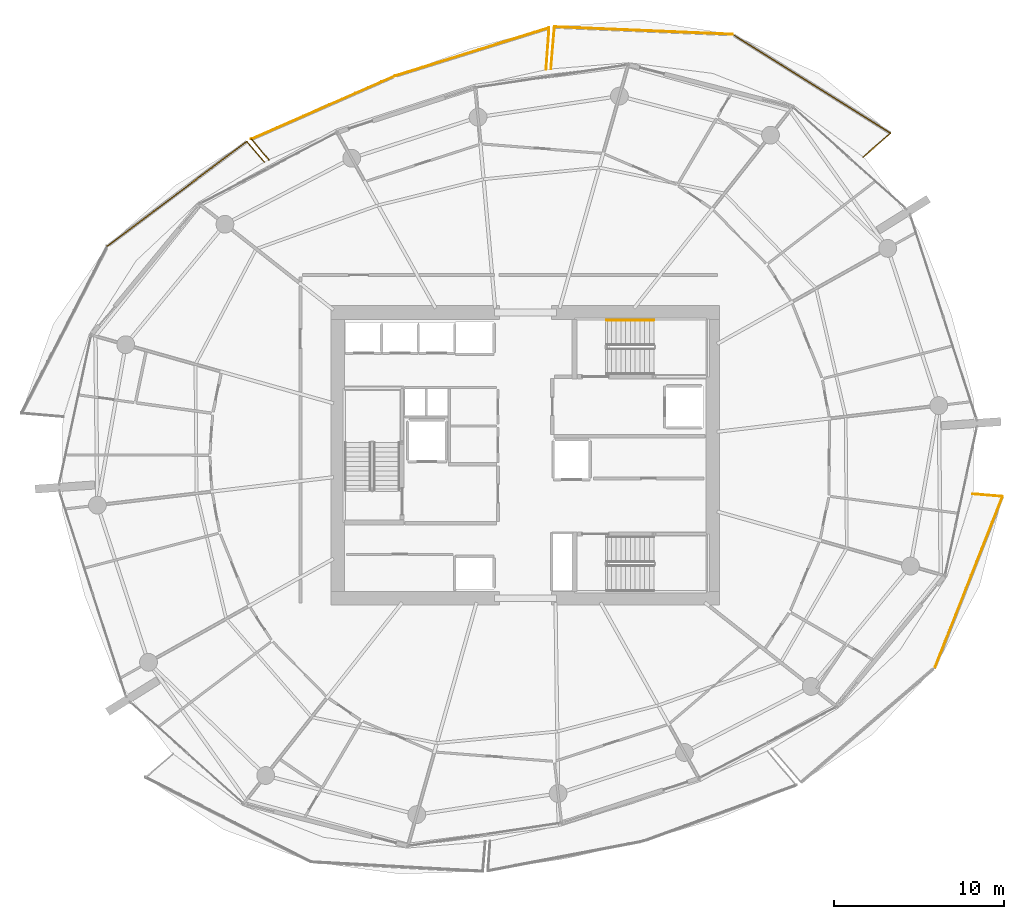
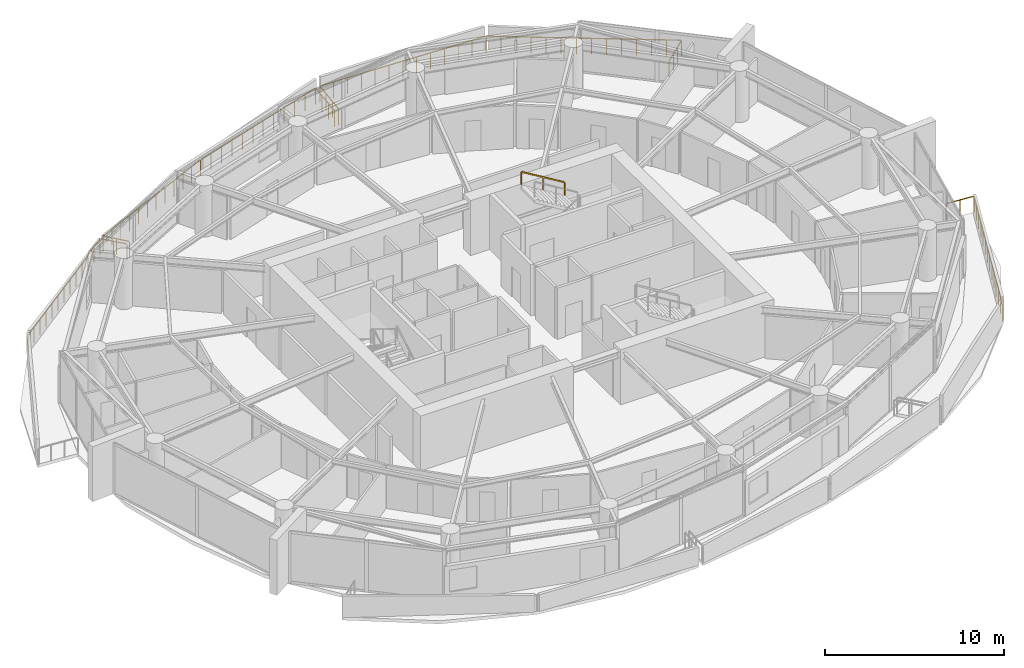
# One storey, part 20 of 20: 13 railings.
"""IFC4 building model written with IfcOpenShell, lengths in metres."""

from ifc_helpers import new_model, si_unit, direction, frame, origin, origin_2d, place, context, subcontext, project, spatial, rectangle, extrude, material, type_object, element, save


model = new_model("IFC4")

# Units and contexts
model_context = context("Model", 3, precision=1e-05, world=origin(), true_north=direction((0.0, 1.0)))
body_context = subcontext(model_context, "Body", "Model", "MODEL_VIEW")
ifc_project = project(units=[si_unit("LENGTHUNIT", "METRE"), si_unit("AREAUNIT", "SQUARE_METRE"), si_unit("VOLUMEUNIT", "CUBIC_METRE"), si_unit("PLANEANGLEUNIT", "RADIAN"), si_unit("MASSUNIT", "GRAM", prefix="KILO")], contexts=[model_context])

# Site, building, storey
site_placement = place(None, origin())
site = spatial("IfcSite", under=ifc_project, at=site_placement, CompositionType="ELEMENT")
building_placement = place(site_placement, origin())
building = spatial("IfcBuilding", under=site, at=building_placement, Name="Kazma Halo Residences", CompositionType="ELEMENT")
storey_placement = place(building_placement, frame((0.0, 0.0, 131.550048828125)))
storey = spatial("IfcBuildingStorey", under=building, at=storey_placement, Name="L32", CompositionType="ELEMENT", Elevation=131.550048828125)

# Railings
ifc_material_1 = material(Name="Aluminium AW-6063 T6 Brushed Cap Rail", Category="aluminium")
railing_type_1 = type_object("IfcRailingType", Name="RLG-BAL-CAP-1120", PredefinedType="BALUSTRADE", material=ifc_material_1)
railing_1_placement = place(storey_placement, frame((68.294677734375, 59.548583984375, 0.0)))
element("IfcRailing", 1, at=railing_1_placement, inside=storey, type_object=railing_type_1, Name="L32 NE wave balcony guard 1", PredefinedType="BALUSTRADE", context=body_context, shape_type="SweptSolid", body=[
    extrude(rectangle(XDim=0.050048828125, YDim=0.050048828125, at=origin_2d()), frame((0.0322265625, 0.02783203125, 1.09521484375), z_axis=(0.756373912854, 0.654139514136, 0.0), x_axis=(-0.654139514136, 0.756373912854, 0.0)), (0.0, 0.0, 1.0), 2.042724609375),
    extrude(rectangle(XDim=0.0400390625, YDim=0.0400390625, at=origin_2d()), origin(), (0.0, 0.0, 1.0), 1.05810546875),
    extrude(rectangle(XDim=0.0400390625, YDim=0.0400390625, at=origin_2d()), frame((0.536376953125, 0.4638671875, 0.0)), (0.0, 0.0, 1.0), 1.05810546875),
    extrude(rectangle(XDim=0.0400390625, YDim=0.0400390625, at=origin_2d()), frame((1.072998046875, 0.927978515625, 0.0)), (0.0, 0.0, 1.0), 1.05810546875),
    extrude(rectangle(XDim=0.0400390625, YDim=0.0400390625, at=origin_2d()), frame((1.609375, 1.391845703125, 0.0)), (0.0, 0.0, 1.0), 1.05810546875),
])
railing_2_placement = place(storey_placement, frame((69.904052734375, 60.9404296875, 0.0)))
element("IfcRailing", 2, at=railing_2_placement, inside=storey, type_object=railing_type_1, Name="L32 NE wave balcony guard 2", PredefinedType="BALUSTRADE", context=body_context, shape_type="SweptSolid", body=[
    extrude(rectangle(XDim=0.050048828125, YDim=0.050048828125, at=origin_2d()), frame((-0.0361328125, 0.0224609375, 1.09521484375), z_axis=(-0.847681544963, 0.530505417812, 0.0), x_axis=(-0.530505417812, -0.847681544963, 0.0)), (0.0, 0.0, 1.0), 10.875244140625),
    extrude(rectangle(XDim=0.0400390625, YDim=0.0400390625, at=origin_2d()), origin(), (0.0, 0.0, 1.0), 1.05810546875),
    extrude(rectangle(XDim=0.0400390625, YDim=0.0400390625, at=origin_2d()), frame((-0.714599609375, 0.447265625, 0.0)), (0.0, 0.0, 1.0), 1.05810546875),
    extrude(rectangle(XDim=0.0400390625, YDim=0.0400390625, at=origin_2d()), frame((-1.429443359375, 0.89453125, 0.0)), (0.0, 0.0, 1.0), 1.05810546875),
    extrude(rectangle(XDim=0.0400390625, YDim=0.0400390625, at=origin_2d()), frame((-2.14404296875, 1.341796875, 0.0)), (0.0, 0.0, 1.0), 1.05810546875),
    extrude(rectangle(XDim=0.0400390625, YDim=0.0400390625, at=origin_2d()), frame((-2.858642578125, 1.7890625, 0.0)), (0.0, 0.0, 1.0), 1.05810546875),
    extrude(rectangle(XDim=0.0400390625, YDim=0.0400390625, at=origin_2d()), frame((-3.573486328125, 2.236328125, 0.0)), (0.0, 0.0, 1.0), 1.05810546875),
    extrude(rectangle(XDim=0.0400390625, YDim=0.0400390625, at=origin_2d()), frame((-4.2880859375, 2.68359375, 0.0)), (0.0, 0.0, 1.0), 1.05810546875),
    extrude(rectangle(XDim=0.0400390625, YDim=0.0400390625, at=origin_2d()), frame((-5.002685546875, 3.130859375, 0.0)), (0.0, 0.0, 1.0), 1.05810546875),
    extrude(rectangle(XDim=0.0400390625, YDim=0.0400390625, at=origin_2d()), frame((-5.71728515625, 3.578125, 0.0)), (0.0, 0.0, 1.0), 1.05810546875),
    extrude(rectangle(XDim=0.0400390625, YDim=0.0400390625, at=origin_2d()), frame((-6.43212890625, 4.025390625, 0.0)), (0.0, 0.0, 1.0), 1.05810546875),
    extrude(rectangle(XDim=0.0400390625, YDim=0.0400390625, at=origin_2d()), frame((-7.146728515625, 4.47265625, 0.0)), (0.0, 0.0, 1.0), 1.05810546875),
    extrude(rectangle(XDim=0.0400390625, YDim=0.0400390625, at=origin_2d()), frame((-7.861328125, 4.919921875, 0.0)), (0.0, 0.0, 1.0), 1.05810546875),
    extrude(rectangle(XDim=0.0400390625, YDim=0.0400390625, at=origin_2d()), frame((-8.576171875, 5.3671875, 0.0)), (0.0, 0.0, 1.0), 1.05810546875),
    extrude(rectangle(XDim=0.0400390625, YDim=0.0400390625, at=origin_2d()), frame((-9.290771484375, 5.814453125, 0.0)), (0.0, 0.0, 1.0), 1.05810546875),
])
railing_3_placement = place(storey_placement, frame((60.61328125, 66.7548828125, 0.0)))
element("IfcRailing", 3, at=railing_3_placement, inside=storey, type_object=railing_type_1, Name="L32 NE wave balcony guard 3", PredefinedType="BALUSTRADE", context=body_context, shape_type="SweptSolid", body=[
    extrude(rectangle(XDim=0.050048828125, YDim=0.050048828125, at=origin_2d()), frame((-0.04248046875, 0.001708984375, 1.09521484375), z_axis=(-0.999119297939, 0.041959843733, 0.0), x_axis=(-0.041959843733, -0.999119297939, 0.0)), (0.0, 0.0, 1.0), 10.399658203125),
    extrude(rectangle(XDim=0.0400390625, YDim=0.0400390625, at=origin_2d()), origin(), (0.0, 0.0, 1.0), 1.05810546875),
    extrude(rectangle(XDim=0.0400390625, YDim=0.0400390625, at=origin_2d()), frame((-0.873046875, 0.03662109375, 0.0)), (0.0, 0.0, 1.0), 1.05810546875),
    extrude(rectangle(XDim=0.0400390625, YDim=0.0400390625, at=origin_2d()), frame((-1.745849609375, 0.0732421875, 0.0)), (0.0, 0.0, 1.0), 1.05810546875),
    extrude(rectangle(XDim=0.0400390625, YDim=0.0400390625, at=origin_2d()), frame((-2.618896484375, 0.10986328125, 0.0)), (0.0, 0.0, 1.0), 1.05810546875),
    extrude(rectangle(XDim=0.0400390625, YDim=0.0400390625, at=origin_2d()), frame((-3.491943359375, 0.146728515625, 0.0)), (0.0, 0.0, 1.0), 1.05810546875),
    extrude(rectangle(XDim=0.0400390625, YDim=0.0400390625, at=origin_2d()), frame((-4.36474609375, 0.183349609375, 0.0)), (0.0, 0.0, 1.0), 1.05810546875),
    extrude(rectangle(XDim=0.0400390625, YDim=0.0400390625, at=origin_2d()), frame((-5.23779296875, 0.219970703125, 0.0)), (0.0, 0.0, 1.0), 1.05810546875),
    extrude(rectangle(XDim=0.0400390625, YDim=0.0400390625, at=origin_2d()), frame((-6.11083984375, 0.256591796875, 0.0)), (0.0, 0.0, 1.0), 1.05810546875),
    extrude(rectangle(XDim=0.0400390625, YDim=0.0400390625, at=origin_2d()), frame((-6.983642578125, 0.293212890625, 0.0)), (0.0, 0.0, 1.0), 1.05810546875),
    extrude(rectangle(XDim=0.0400390625, YDim=0.0400390625, at=origin_2d()), frame((-7.856689453125, 0.330078125, 0.0)), (0.0, 0.0, 1.0), 1.05810546875),
    extrude(rectangle(XDim=0.0400390625, YDim=0.0400390625, at=origin_2d()), frame((-8.729736328125, 0.36669921875, 0.0)), (0.0, 0.0, 1.0), 1.05810546875),
    extrude(rectangle(XDim=0.0400390625, YDim=0.0400390625, at=origin_2d()), frame((-9.6025390625, 0.4033203125, 0.0)), (0.0, 0.0, 1.0), 1.05810546875),
    extrude(rectangle(XDim=0.0400390625, YDim=0.0400390625, at=origin_2d()), frame((-10.4755859375, 0.43994140625, 0.0)), (0.0, 0.0, 1.0), 1.05810546875),
])
railing_4_placement = place(storey_placement, frame((50.1376953125, 67.19482421875, 0.0)))
element("IfcRailing", 4, at=railing_4_placement, inside=storey, type_object=railing_type_1, Name="L32 NE wave balcony guard 4", PredefinedType="BALUSTRADE", context=body_context, shape_type="SweptSolid", body=[
    extrude(rectangle(XDim=0.050048828125, YDim=0.050048828125, at=origin_2d()), frame((-0.003662109375, -0.04248046875, 1.09521484375), z_axis=(-0.084453003574, -0.996427463585, 0.0), x_axis=(0.996427463585, -0.084453003574, 0.0)), (0.0, 0.0, 1.0), 2.398193359375),
    extrude(rectangle(XDim=0.0400390625, YDim=0.0400390625, at=origin_2d()), origin(), (0.0, 0.0, 1.0), 1.05810546875),
    extrude(rectangle(XDim=0.0400390625, YDim=0.0400390625, at=origin_2d()), frame((-0.06982421875, -0.82470703125, 0.0)), (0.0, 0.0, 1.0), 1.05810546875),
    extrude(rectangle(XDim=0.0400390625, YDim=0.0400390625, at=origin_2d()), frame((-0.139892578125, -1.649658203125, 0.0)), (0.0, 0.0, 1.0), 1.05810546875),
    extrude(rectangle(XDim=0.0400390625, YDim=0.0400390625, at=origin_2d()), frame((-0.209716796875, -2.474365234375, 0.0)), (0.0, 0.0, 1.0), 1.05810546875),
])
railing_5_placement = place(storey_placement, frame((49.6455078125, 64.67822265625, 0.0)))
element("IfcRailing", 5, at=railing_5_placement, inside=storey, type_object=railing_type_1, Name="L32 NNW wave balcony guard 1", PredefinedType="BALUSTRADE", context=body_context, shape_type="SweptSolid", body=[
    extrude(rectangle(XDim=0.050048828125, YDim=0.050048828125, at=origin_2d()), frame((0.003173828125, 0.04248046875, 1.09521484375), z_axis=(0.072387043976, 0.997376616863, 0.0), x_axis=(-0.997376616863, 0.072387043976, 0.0)), (0.0, 0.0, 1.0), 2.38037109375),
    extrude(rectangle(XDim=0.0400390625, YDim=0.0400390625, at=origin_2d()), origin(), (0.0, 0.0, 1.0), 1.05810546875),
    extrude(rectangle(XDim=0.0400390625, YDim=0.0400390625, at=origin_2d()), frame((0.0595703125, 0.819580078125, 0.0)), (0.0, 0.0, 1.0), 1.05810546875),
    extrude(rectangle(XDim=0.0400390625, YDim=0.0400390625, at=origin_2d()), frame((0.118896484375, 1.639404296875, 0.0)), (0.0, 0.0, 1.0), 1.05810546875),
    extrude(rectangle(XDim=0.0400390625, YDim=0.0400390625, at=origin_2d()), frame((0.178466796875, 2.458984375, 0.0)), (0.0, 0.0, 1.0), 1.05810546875),
])
railing_6_placement = place(storey_placement, frame((49.823974609375, 67.13720703125, 0.0)))
element("IfcRailing", 6, at=railing_6_placement, inside=storey, type_object=railing_type_1, Name="L32 NNW wave balcony guard 2", PredefinedType="BALUSTRADE", context=body_context, shape_type="SweptSolid", body=[
    extrude(rectangle(XDim=0.050048828125, YDim=0.050048828125, at=origin_2d()), frame((-0.04052734375, -0.0126953125, 1.09521484375), z_axis=(-0.954419160953, -0.298469538154, 0.0), x_axis=(0.298469538154, -0.954419160953, 0.0)), (0.0, 0.0, 1.0), 9.418212890625),
    extrude(rectangle(XDim=0.0400390625, YDim=0.0400390625, at=origin_2d()), origin(), (0.0, 0.0, 1.0), 1.05810546875),
    extrude(rectangle(XDim=0.0400390625, YDim=0.0400390625, at=origin_2d()), frame((-0.824462890625, -0.2578125, 0.0)), (0.0, 0.0, 1.0), 1.05810546875),
    extrude(rectangle(XDim=0.0400390625, YDim=0.0400390625, at=origin_2d()), frame((-1.649169921875, -0.515625, 0.0)), (0.0, 0.0, 1.0), 1.05810546875),
    extrude(rectangle(XDim=0.0400390625, YDim=0.0400390625, at=origin_2d()), frame((-2.4736328125, -0.773681640625, 0.0)), (0.0, 0.0, 1.0), 1.05810546875),
    extrude(rectangle(XDim=0.0400390625, YDim=0.0400390625, at=origin_2d()), frame((-3.298095703125, -1.031494140625, 0.0)), (0.0, 0.0, 1.0), 1.05810546875),
    extrude(rectangle(XDim=0.0400390625, YDim=0.0400390625, at=origin_2d()), frame((-4.122802734375, -1.289306640625, 0.0)), (0.0, 0.0, 1.0), 1.05810546875),
    extrude(rectangle(XDim=0.0400390625, YDim=0.0400390625, at=origin_2d()), frame((-4.947265625, -1.547119140625, 0.0)), (0.0, 0.0, 1.0), 1.05810546875),
    extrude(rectangle(XDim=0.0400390625, YDim=0.0400390625, at=origin_2d()), frame((-5.77197265625, -1.804931640625, 0.0)), (0.0, 0.0, 1.0), 1.05810546875),
    extrude(rectangle(XDim=0.0400390625, YDim=0.0400390625, at=origin_2d()), frame((-6.596435546875, -2.062744140625, 0.0)), (0.0, 0.0, 1.0), 1.05810546875),
    extrude(rectangle(XDim=0.0400390625, YDim=0.0400390625, at=origin_2d()), frame((-7.4208984375, -2.32080078125, 0.0)), (0.0, 0.0, 1.0), 1.05810546875),
    extrude(rectangle(XDim=0.0400390625, YDim=0.0400390625, at=origin_2d()), frame((-8.24560546875, -2.57861328125, 0.0)), (0.0, 0.0, 1.0), 1.05810546875),
    extrude(rectangle(XDim=0.0400390625, YDim=0.0400390625, at=origin_2d()), frame((-9.070068359375, -2.83642578125, 0.0)), (0.0, 0.0, 1.0), 1.05810546875),
])
railing_7_placement = place(storey_placement, frame((40.75390625, 64.30078125, 0.0)))
element("IfcRailing", 7, at=railing_7_placement, inside=storey, type_object=railing_type_1, Name="L32 NNW wave balcony guard 3", PredefinedType="BALUSTRADE", context=body_context, shape_type="SweptSolid", body=[
    extrude(rectangle(XDim=0.050048828125, YDim=0.050048828125, at=origin_2d()), frame((-0.0390625, -0.01708984375, 1.09521484375), z_axis=(-0.915413436935, -0.402514893487, 0.0), x_axis=(0.402514893487, -0.915413436935, 0.0)), (0.0, 0.0, 1.0), 9.13134765625),
    extrude(rectangle(XDim=0.0400390625, YDim=0.0400390625, at=origin_2d()), origin(), (0.0, 0.0, 1.0), 1.05810546875),
    extrude(rectangle(XDim=0.0400390625, YDim=0.0400390625, at=origin_2d()), frame((-0.76708984375, -0.337158203125, 0.0)), (0.0, 0.0, 1.0), 1.05810546875),
    extrude(rectangle(XDim=0.0400390625, YDim=0.0400390625, at=origin_2d()), frame((-1.533935546875, -0.674560546875, 0.0)), (0.0, 0.0, 1.0), 1.05810546875),
    extrude(rectangle(XDim=0.0400390625, YDim=0.0400390625, at=origin_2d()), frame((-2.301025390625, -1.01171875, 0.0)), (0.0, 0.0, 1.0), 1.05810546875),
    extrude(rectangle(XDim=0.0400390625, YDim=0.0400390625, at=origin_2d()), frame((-3.06787109375, -1.348876953125, 0.0)), (0.0, 0.0, 1.0), 1.05810546875),
    extrude(rectangle(XDim=0.0400390625, YDim=0.0400390625, at=origin_2d()), frame((-3.8349609375, -1.686279296875, 0.0)), (0.0, 0.0, 1.0), 1.05810546875),
    extrude(rectangle(XDim=0.0400390625, YDim=0.0400390625, at=origin_2d()), frame((-4.601806640625, -2.0234375, 0.0)), (0.0, 0.0, 1.0), 1.05810546875),
    extrude(rectangle(XDim=0.0400390625, YDim=0.0400390625, at=origin_2d()), frame((-5.368896484375, -2.36083984375, 0.0)), (0.0, 0.0, 1.0), 1.05810546875),
    extrude(rectangle(XDim=0.0400390625, YDim=0.0400390625, at=origin_2d()), frame((-6.1357421875, -2.697998046875, 0.0)), (0.0, 0.0, 1.0), 1.05810546875),
    extrude(rectangle(XDim=0.0400390625, YDim=0.0400390625, at=origin_2d()), frame((-6.90283203125, -3.03515625, 0.0)), (0.0, 0.0, 1.0), 1.05810546875),
    extrude(rectangle(XDim=0.0400390625, YDim=0.0400390625, at=origin_2d()), frame((-7.669677734375, -3.37255859375, 0.0)), (0.0, 0.0, 1.0), 1.05810546875),
    extrude(rectangle(XDim=0.0400390625, YDim=0.0400390625, at=origin_2d()), frame((-8.436767578125, -3.709716796875, 0.0)), (0.0, 0.0, 1.0), 1.05810546875),
])
railing_8_placement = place(storey_placement, frame((32.317138671875, 60.591064453125, 0.0)))
element("IfcRailing", 8, at=railing_8_placement, inside=storey, type_object=railing_type_1, Name="L32 NNW wave balcony guard 4", PredefinedType="BALUSTRADE", context=body_context, shape_type="SweptSolid", body=[
    extrude(rectangle(XDim=0.050048828125, YDim=0.050048828125, at=origin_2d()), frame((0.02734375, -0.032470703125, 1.09521484375), z_axis=(0.644794998224, -0.764355552256, 0.0), x_axis=(0.764355552256, 0.644794998224, 0.0)), (0.0, 0.0, 1.0), 1.49951171875),
    extrude(rectangle(XDim=0.0400390625, YDim=0.0400390625, at=origin_2d()), origin(), (0.0, 0.0, 1.0), 1.05810546875),
    extrude(rectangle(XDim=0.0400390625, YDim=0.0400390625, at=origin_2d()), frame((0.5107421875, -0.60546875, 0.0)), (0.0, 0.0, 1.0), 1.05810546875),
    extrude(rectangle(XDim=0.0400390625, YDim=0.0400390625, at=origin_2d()), frame((1.021728515625, -1.211181640625, 0.0)), (0.0, 0.0, 1.0), 1.05810546875),
])
railing_9_placement = place(storey_placement, frame((33.08544921875, 59.248046875, 0.0)))
element("IfcRailing", 9, at=railing_9_placement, inside=storey, type_object=railing_type_1, Name="L32 NW wave balcony guard 1", PredefinedType="BALUSTRADE", context=body_context, shape_type="SweptSolid", body=[
    extrude(rectangle(XDim=0.050048828125, YDim=0.050048828125, at=origin_2d()), frame((-0.02783203125, 0.0322265625, 1.09521484375), z_axis=(-0.653999859695, 0.756494668533, 0.0), x_axis=(-0.756494668533, -0.653999859695, 0.0)), (0.0, 0.0, 1.0), 1.503662109375),
    extrude(rectangle(XDim=0.0400390625, YDim=0.0400390625, at=origin_2d()), origin(), (0.0, 0.0, 1.0), 1.05810546875),
    extrude(rectangle(XDim=0.0400390625, YDim=0.0400390625, at=origin_2d()), frame((-0.51953125, 0.60107421875, 0.0)), (0.0, 0.0, 1.0), 1.05810546875),
    extrude(rectangle(XDim=0.0400390625, YDim=0.0400390625, at=origin_2d()), frame((-1.0390625, 1.201904296875, 0.0)), (0.0, 0.0, 1.0), 1.05810546875),
])
railing_10_placement = place(storey_placement, frame((32.04638671875, 60.449951171875, 0.0)))
element("IfcRailing", 10, at=railing_10_placement, inside=storey, type_object=railing_type_1, Name="L32 NW wave balcony guard 2", PredefinedType="BALUSTRADE", context=body_context, shape_type="SweptSolid", body=[
    extrude(rectangle(XDim=0.050048828125, YDim=0.050048828125, at=origin_2d()), frame((-0.033935546875, -0.025634765625, 1.09521484375), z_axis=(-0.800074352867, -0.599900850045, 0.0), x_axis=(0.599900850045, -0.800074352867, 0.0)), (0.0, 0.0, 1.0), 10.15869140625),
    extrude(rectangle(XDim=0.0400390625, YDim=0.0400390625, at=origin_2d()), origin(), (0.0, 0.0, 1.0), 1.05810546875),
    extrude(rectangle(XDim=0.0400390625, YDim=0.0400390625, at=origin_2d()), frame((-0.68310546875, -0.51220703125, 0.0)), (0.0, 0.0, 1.0), 1.05810546875),
    extrude(rectangle(XDim=0.0400390625, YDim=0.0400390625, at=origin_2d()), frame((-1.365966796875, -1.024169921875, 0.0)), (0.0, 0.0, 1.0), 1.05810546875),
    extrude(rectangle(XDim=0.0400390625, YDim=0.0400390625, at=origin_2d()), frame((-2.048828125, -1.536376953125, 0.0)), (0.0, 0.0, 1.0), 1.05810546875),
    extrude(rectangle(XDim=0.0400390625, YDim=0.0400390625, at=origin_2d()), frame((-2.73193359375, -2.04833984375, 0.0)), (0.0, 0.0, 1.0), 1.05810546875),
    extrude(rectangle(XDim=0.0400390625, YDim=0.0400390625, at=origin_2d()), frame((-3.4150390625, -2.560546875, 0.0)), (0.0, 0.0, 1.0), 1.05810546875),
    extrude(rectangle(XDim=0.0400390625, YDim=0.0400390625, at=origin_2d()), frame((-4.097900390625, -3.07275390625, 0.0)), (0.0, 0.0, 1.0), 1.05810546875),
    extrude(rectangle(XDim=0.0400390625, YDim=0.0400390625, at=origin_2d()), frame((-4.78076171875, -3.584716796875, 0.0)), (0.0, 0.0, 1.0), 1.05810546875),
    extrude(rectangle(XDim=0.0400390625, YDim=0.0400390625, at=origin_2d()), frame((-5.4638671875, -4.096923828125, 0.0)), (0.0, 0.0, 1.0), 1.05810546875),
    extrude(rectangle(XDim=0.0400390625, YDim=0.0400390625, at=origin_2d()), frame((-6.14697265625, -4.60888671875, 0.0)), (0.0, 0.0, 1.0), 1.05810546875),
    extrude(rectangle(XDim=0.0400390625, YDim=0.0400390625, at=origin_2d()), frame((-6.829833984375, -5.12109375, 0.0)), (0.0, 0.0, 1.0), 1.05810546875),
    extrude(rectangle(XDim=0.0400390625, YDim=0.0400390625, at=origin_2d()), frame((-7.5126953125, -5.633056640625, 0.0)), (0.0, 0.0, 1.0), 1.05810546875),
    extrude(rectangle(XDim=0.0400390625, YDim=0.0400390625, at=origin_2d()), frame((-8.19580078125, -6.145263671875, 0.0)), (0.0, 0.0, 1.0), 1.05810546875),
])
railing_11_placement = place(storey_placement, frame((72.50390625, 29.5146484375, 0.0)))
element("IfcRailing", 11, at=railing_11_placement, inside=storey, type_object=railing_type_1, Name="L32 SE wave balcony guard 3", PredefinedType="BALUSTRADE", context=body_context, shape_type="SweptSolid", body=[
    extrude(rectangle(XDim=0.050048828125, YDim=0.050048828125, at=origin_2d()), frame((0.015625, 0.03955078125, 1.09521484375), z_axis=(0.367674762785, 0.929954444481, 0.0), x_axis=(-0.929954444481, 0.367674762785, 0.0)), (0.0, 0.0, 1.0), 10.74169921875),
    extrude(rectangle(XDim=0.0400390625, YDim=0.0400390625, at=origin_2d()), origin(), (0.0, 0.0, 1.0), 1.05810546875),
    extrude(rectangle(XDim=0.0400390625, YDim=0.0400390625, at=origin_2d()), frame((0.30615234375, 0.7744140625, 0.0)), (0.0, 0.0, 1.0), 1.05810546875),
    extrude(rectangle(XDim=0.0400390625, YDim=0.0400390625, at=origin_2d()), frame((0.6123046875, 1.549072265625, 0.0)), (0.0, 0.0, 1.0), 1.05810546875),
    extrude(rectangle(XDim=0.0400390625, YDim=0.0400390625, at=origin_2d()), frame((0.918701171875, 2.323486328125, 0.0)), (0.0, 0.0, 1.0), 1.05810546875),
    extrude(rectangle(XDim=0.0400390625, YDim=0.0400390625, at=origin_2d()), frame((1.224853515625, 3.097900390625, 0.0)), (0.0, 0.0, 1.0), 1.05810546875),
    extrude(rectangle(XDim=0.0400390625, YDim=0.0400390625, at=origin_2d()), frame((1.531005859375, 3.87255859375, 0.0)), (0.0, 0.0, 1.0), 1.05810546875),
    extrude(rectangle(XDim=0.0400390625, YDim=0.0400390625, at=origin_2d()), frame((1.837158203125, 4.64697265625, 0.0)), (0.0, 0.0, 1.0), 1.05810546875),
    extrude(rectangle(XDim=0.0400390625, YDim=0.0400390625, at=origin_2d()), frame((2.1435546875, 5.42138671875, 0.0)), (0.0, 0.0, 1.0), 1.05810546875),
    extrude(rectangle(XDim=0.0400390625, YDim=0.0400390625, at=origin_2d()), frame((2.44970703125, 6.19580078125, 0.0)), (0.0, 0.0, 1.0), 1.05810546875),
    extrude(rectangle(XDim=0.0400390625, YDim=0.0400390625, at=origin_2d()), frame((2.755859375, 6.970458984375, 0.0)), (0.0, 0.0, 1.0), 1.05810546875),
    extrude(rectangle(XDim=0.0400390625, YDim=0.0400390625, at=origin_2d()), frame((3.06201171875, 7.744873046875, 0.0)), (0.0, 0.0, 1.0), 1.05810546875),
    extrude(rectangle(XDim=0.0400390625, YDim=0.0400390625, at=origin_2d()), frame((3.368408203125, 8.519287109375, 0.0)), (0.0, 0.0, 1.0), 1.05810546875),
    extrude(rectangle(XDim=0.0400390625, YDim=0.0400390625, at=origin_2d()), frame((3.674560546875, 9.2939453125, 0.0)), (0.0, 0.0, 1.0), 1.05810546875),
    extrude(rectangle(XDim=0.0400390625, YDim=0.0400390625, at=origin_2d()), frame((3.980712890625, 10.068359375, 0.0)), (0.0, 0.0, 1.0), 1.05810546875),
])
railing_12_placement = place(storey_placement, frame((76.484619140625, 39.5830078125, 0.0)))
element("IfcRailing", 12, at=railing_12_placement, inside=storey, type_object=railing_type_1, Name="L32 SE wave balcony guard 4", PredefinedType="BALUSTRADE", context=body_context, shape_type="SweptSolid", body=[
    extrude(rectangle(XDim=0.050048828125, YDim=0.050048828125, at=origin_2d()), frame((-0.04248046875, 0.003662109375, 1.09521484375), z_axis=(-0.996415217957, 0.084597360621, 0.0), x_axis=(-0.084597360621, -0.996415217957, 0.0)), (0.0, 0.0, 1.0), 1.67236328125),
    extrude(rectangle(XDim=0.0400390625, YDim=0.0400390625, at=origin_2d()), origin(), (0.0, 0.0, 1.0), 1.05810546875),
    extrude(rectangle(XDim=0.0400390625, YDim=0.0400390625, at=origin_2d()), frame((-0.87548828125, 0.07421875, 0.0)), (0.0, 0.0, 1.0), 1.05810546875),
    extrude(rectangle(XDim=0.0400390625, YDim=0.0400390625, at=origin_2d()), frame((-1.751220703125, 0.148681640625, 0.0)), (0.0, 0.0, 1.0), 1.05810546875),
])
ifc_material_2 = material(Name="Brushed Stainless Steel", Category="steel")
railing_type_2 = type_object("IfcRailingType", Name="RLG-STAIR-HND-900", PredefinedType="HANDRAIL", material=ifc_material_2)
railing_13_placement = place(storey_placement, frame((56.0, 49.949951171875, 2.04541015625)))
element("IfcRailing", 13, at=railing_13_placement, inside=storey, type_object=railing_type_2, Name="L32 ST-02 stair handrail 2", PredefinedType="HANDRAIL", context=body_context, shape_type="SweptSolid", body=[
    extrude(rectangle(XDim=0.050048828125, YDim=0.050048828125, at=origin_2d()), frame((-0.036376953125, 0.0, 0.89697265625), z_axis=(-0.854169791009, 0.0, 0.51999420009), x_axis=(0.0, -1.0, 0.0)), (0.0, 0.0, 1.0), 3.193115234375),
    extrude(rectangle(XDim=0.0400390625, YDim=0.0400390625, at=origin_2d()), origin(), (0.0, 0.0, 1.0), 0.837890625),
    extrude(rectangle(XDim=0.0400390625, YDim=0.0400390625, at=origin_2d()), frame((-1.39990234375, 0.0, 0.852294921875)), (0.0, 0.0, 1.0), 0.837890625),
    extrude(rectangle(XDim=0.0400390625, YDim=0.0400390625, at=origin_2d()), frame((-2.800048828125, 0.0, 1.70458984375)), (0.0, 0.0, 1.0), 0.837890625),
])

save(model, "model.ifc")
